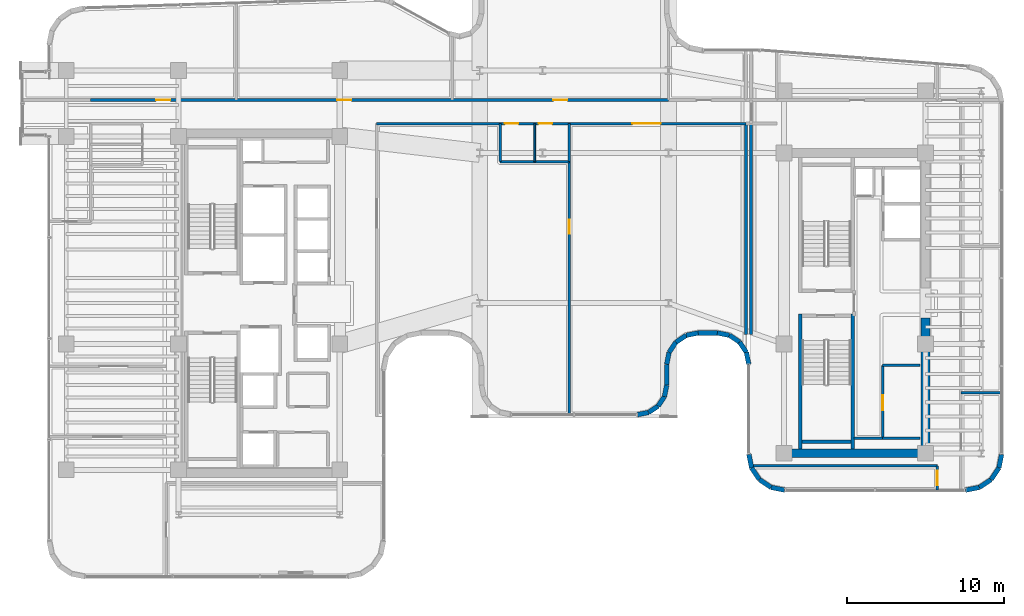
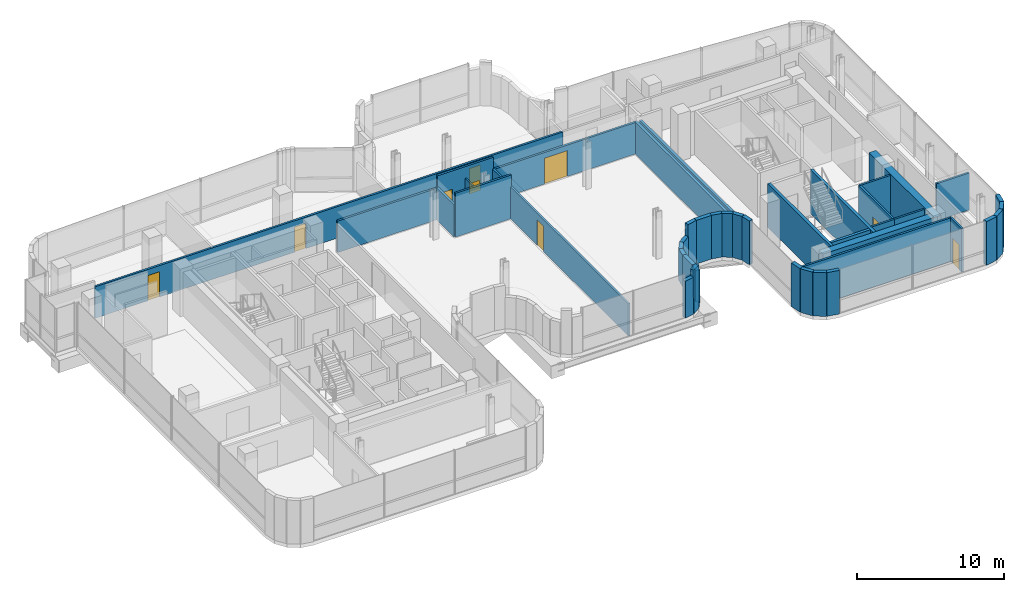
# One storey, part 29 of 37: 45 walls, 9 doors, 9 openings.
"""IFC4 building model written with IfcOpenShell, lengths in metres."""

from ifc_helpers import new_model, si_unit, direction, frame, frame_2d, origin, place, context, subcontext, project, spatial, rectangle, extrude, material, layer, layer_set, type_object, element, fill, save


model = new_model("IFC4")

# Units and contexts
model_context = context("Model", 3, precision=1e-05, world=origin(), true_north=direction((0.0, 1.0)))
body_context = subcontext(model_context, "Body", "Model", "MODEL_VIEW")
ifc_project = project(units=[si_unit("LENGTHUNIT", "METRE"), si_unit("AREAUNIT", "SQUARE_METRE"), si_unit("VOLUMEUNIT", "CUBIC_METRE"), si_unit("PLANEANGLEUNIT", "RADIAN"), si_unit("MASSUNIT", "GRAM", prefix="KILO")], contexts=[model_context])

# Site, building, storey
site_placement = place(None, origin())
site = spatial("IfcSite", under=ifc_project, at=site_placement, CompositionType="ELEMENT")
building_placement = place(site_placement, origin())
building = spatial("IfcBuilding", under=site, at=building_placement, Name="Valdorenza Pilgrim Sanctuary Tower", CompositionType="ELEMENT")
storey_placement = place(building_placement, frame((0.0, 0.0, 188.39990234375)))
storey = spatial("IfcBuildingStorey", under=building, at=storey_placement, Name="L48", CompositionType="ELEMENT", Elevation=188.39990234375)

# Wall
ifc_material_1 = material(Name="Acoustic twin-stud gypsum partition", Category="gypsum")
ifc_layer_1 = layer(ifc_material_1, 0.159912109375, Name="Acoustic twin-stud gypsum partition")
ifc_layer_set_1 = layer_set([ifc_layer_1], Name="Acoustic twin-stud gypsum partition")
wall_type_1 = type_object("IfcWallType", Name="WAL-COR-160", PredefinedType="PARTITIONING", material=ifc_layer_set_1)
wall_1_placement = place(storey_placement, frame((20.300048828125, -8.60009765625, 0.0), z_axis=(0.0, 0.0, 1.0), x_axis=(1.0, 0.0, 0.0)))
element("IfcWall", 1, at=wall_1_placement, inside=storey, type_object=wall_type_1, Name="L48 Core B Lift Hall South End Wall", PredefinedType="PARTITIONING", context=body_context, shape_type="SweptSolid", body=[
    extrude(rectangle(XDim=1.820068359375, YDim=0.159912109375, at=frame_2d((0.91015625, 0.0))), origin(), (0.0, 0.0, 1.0), 3.630126953125),
])

# Wall, opening, door
wall_2_placement = place(storey_placement, frame((22.1201171875, -8.60009765625, 0.0), z_axis=(0.0, 0.0, 1.0), x_axis=(0.0, 1.0, 0.0)))
wall_2 = element("IfcWall", 2, at=wall_2_placement, inside=storey, type_object=wall_type_1, Name="L48 Core B Freed Shaft West Wall", PredefinedType="PARTITIONING", context=body_context, shape_type="SweptSolid", body=[
    extrude(rectangle(XDim=4.650146484375, YDim=0.159912109375, at=frame_2d((2.3251953125, 0.0))), origin(), (0.0, 0.0, 1.0), 3.630126953125),
])
opening_1_placement = place(wall_2_placement, frame((1.800048828125, 0.0, 0.0)))
opening_1 = element("IfcOpeningElement", 3, at=opening_1_placement, cuts=wall_2, Name="Opening DR-UN1", PredefinedType="OPENING", context=body_context, shape_type="SweptSolid", body=[
    extrude(rectangle(XDim=0.949951171875, YDim=2.14990234375, at=frame_2d((0.47509765625, 1.074951171875))), frame((0.0, 0.0947265625, 0.0), z_axis=(0.0, -1.0, 0.0), x_axis=(1.0, 0.0, 0.0)), (0.0, 0.0, 1.0), 0.189697265625),
])
ifc_material_2 = material(Name="Solid-core European oak timber", Category="wood")
door_type_1 = type_object("IfcDoorType", Name="DR-UNIT-950", OperationType="NOTDEFINED", PredefinedType="DOOR", material=ifc_material_2)
door_1_placement = place(opening_1_placement, origin())
door_1 = element("IfcDoor", 4, at=door_1_placement, inside=storey, type_object=door_type_1, Name="L48 East Core Linen Store Door", OperationType="SINGLE_SWING_LEFT", OverallHeight=2.14990234375, OverallWidth=0.949951171875, PredefinedType="DOOR", context=body_context, shape_type="SweptSolid", body=[
    extrude(rectangle(XDim=0.949951171875, YDim=2.14990234375, at=frame_2d((0.47509765625, 1.074951171875))), frame((0.0, 0.02490234375, 0.0), z_axis=(0.0, -1.0, 0.0), x_axis=(1.0, 0.0, 0.0)), (0.0, 0.0, 1.0), 0.050048828125),
])
fill(opening_1, door_1)

# Wall, openings, doors
wall_3_placement = place(storey_placement, frame((-28.25, 12.919921875, 0.0), z_axis=(0.0, 0.0, 1.0), x_axis=(1.0, 0.0, 0.0)))
wall_3 = element("IfcWall", 5, at=wall_3_placement, inside=storey, type_object=wall_type_1, Name="L48 North Corridor Wall", PredefinedType="PARTITIONING", context=body_context, shape_type="SweptSolid", body=[
    extrude(rectangle(XDim=36.75, YDim=0.159912109375, at=frame_2d((18.375, 0.0))), origin(), (0.0, 0.0, 1.0), 2.614990234375),
])
opening_2_placement = place(wall_3_placement, frame((4.177978515625, 0.0, 0.0)))
opening_2 = element("IfcOpeningElement", 6, at=opening_2_placement, cuts=wall_3, Name="Opening DR-RM1", PredefinedType="OPENING", context=body_context, shape_type="SweptSolid", body=[
    extrude(rectangle(XDim=0.89990234375, YDim=2.10009765625, at=frame_2d((0.449951171875, 1.050048828125))), frame((0.0, 0.0947265625, 0.0), z_axis=(0.0, -1.0, 0.0), x_axis=(1.0, 0.0, 0.0)), (0.0, 0.0, 1.0), 0.189697265625),
])
opening_3_placement = place(wall_3_placement, frame((15.679931640625, 0.0, 0.0)))
opening_3 = element("IfcOpeningElement", 7, at=opening_3_placement, cuts=wall_3, Name="Opening DR-RM1", PredefinedType="OPENING", context=body_context, shape_type="SweptSolid", body=[
    extrude(rectangle(XDim=0.89990234375, YDim=2.10009765625, at=frame_2d((0.449951171875, 1.050048828125))), frame((0.0, 0.0947265625, 0.0), z_axis=(0.0, -1.0, 0.0), x_axis=(1.0, 0.0, 0.0)), (0.0, 0.0, 1.0), 0.189697265625),
])
opening_4_placement = place(wall_3_placement, frame((29.427001953125, 0.0, 0.0)))
opening_4 = element("IfcOpeningElement", 8, at=opening_4_placement, cuts=wall_3, Name="Opening DR-RM1", PredefinedType="OPENING", context=body_context, shape_type="SweptSolid", body=[
    extrude(rectangle(XDim=0.89990234375, YDim=2.10009765625, at=frame_2d((0.449951171875, 1.050048828125))), frame((0.0, 0.0947265625, 0.0), z_axis=(0.0, -1.0, 0.0), x_axis=(1.0, 0.0, 0.0)), (0.0, 0.0, 1.0), 0.189697265625),
])
door_type_2 = type_object("IfcDoorType", Name="DR-ROOM-900", OperationType="NOTDEFINED", PredefinedType="DOOR", material=ifc_material_2)
door_2_placement = place(opening_2_placement, origin())
door_2 = element("IfcDoor", 9, at=door_2_placement, inside=storey, type_object=door_type_2, Name="L48 Private Banquet Dining Room L48-N1 Door", OperationType="SINGLE_SWING_RIGHT", OverallHeight=2.10009765625, OverallWidth=0.89990234375, PredefinedType="DOOR", context=body_context, shape_type="SweptSolid", body=[
    extrude(rectangle(XDim=0.89990234375, YDim=2.10009765625, at=frame_2d((0.449951171875, 1.050048828125))), frame((0.0, 0.02490234375, 0.0), z_axis=(0.0, -1.0, 0.0), x_axis=(1.0, 0.0, 0.0)), (0.0, 0.0, 1.0), 0.050048828125),
])
fill(opening_2, door_2)
door_3_placement = place(opening_3_placement, frame((0.89990234375, 0.0, 0.0), z_axis=(0.0, 0.0, 1.0), x_axis=(-1.0, 0.0, 0.0)))
door_3 = element("IfcDoor", 10, at=door_3_placement, inside=storey, type_object=door_type_2, Name="L48 Private Banquet Dining Room L48-N2 Door", OperationType="SINGLE_SWING_LEFT", OverallHeight=2.10009765625, OverallWidth=0.89990234375, PredefinedType="DOOR", context=body_context, shape_type="SweptSolid", body=[
    extrude(rectangle(XDim=0.89990234375, YDim=2.10009765625, at=frame_2d((0.449951171875, 1.050048828125))), frame((0.0, 0.02490234375, 0.0), z_axis=(0.0, -1.0, 0.0), x_axis=(1.0, 0.0, 0.0)), (0.0, 0.0, 1.0), 0.050048828125),
])
fill(opening_3, door_3)
door_4_placement = place(opening_4_placement, origin())
door_4 = element("IfcDoor", 11, at=door_4_placement, inside=storey, type_object=door_type_2, Name="L48 Private Banquet Dining Room L48-N3 Door", OperationType="SINGLE_SWING_RIGHT", OverallHeight=2.10009765625, OverallWidth=0.89990234375, PredefinedType="DOOR", context=body_context, shape_type="SweptSolid", body=[
    extrude(rectangle(XDim=0.89990234375, YDim=2.10009765625, at=frame_2d((0.449951171875, 1.050048828125))), frame((0.0, 0.02490234375, 0.0), z_axis=(0.0, -1.0, 0.0), x_axis=(1.0, 0.0, 0.0)), (0.0, 0.0, 1.0), 0.050048828125),
])
fill(opening_4, door_4)

# Wall
wall_4_placement = place(storey_placement, frame((-10.050048828125, 11.419921875, 0.0), z_axis=(0.0, 0.0, 1.0), x_axis=(1.0, 0.0, 0.0)))
element("IfcWall", 12, at=wall_4_placement, inside=storey, type_object=wall_type_1, Name="L48 Prayer Hall North-West Corridor Wall", PredefinedType="PARTITIONING", context=body_context, shape_type="SweptSolid", body=[
    extrude(rectangle(XDim=7.85009765625, YDim=0.159912109375, at=frame_2d((3.925048828125, 0.0))), origin(), (0.0, 0.0, 1.0), 2.614990234375),
])

# Wall, opening, door
wall_5_placement = place(storey_placement, frame((2.199951171875, 11.419921875, 0.0), z_axis=(0.0, 0.0, 1.0), x_axis=(1.0, 0.0, 0.0)))
wall_5 = element("IfcWall", 13, at=wall_5_placement, inside=storey, type_object=wall_type_1, Name="L48 Prayer Library North-East Corridor Wall", PredefinedType="PARTITIONING", context=body_context, shape_type="SweptSolid", body=[
    extrude(rectangle(XDim=11.219970703125, YDim=0.159912109375, at=frame_2d((5.60986328125, 0.0))), origin(), (0.0, 0.0, 1.0), 2.614990234375),
])
opening_5_placement = place(wall_5_placement, frame((4.0, 0.0, 0.0)))
opening_5 = element("IfcOpeningElement", 14, at=opening_5_placement, cuts=wall_5, Name="Opening DR-HL1", PredefinedType="OPENING", context=body_context, shape_type="SweptSolid", body=[
    extrude(rectangle(XDim=1.800048828125, YDim=2.14990234375, at=frame_2d((0.89990234375, 1.074951171875))), frame((0.0, 0.0947265625, 0.0), z_axis=(0.0, -1.0, 0.0), x_axis=(1.0, 0.0, 0.0)), (0.0, 0.0, 1.0), 0.189697265625),
])
ifc_material_3 = material(Name="Acoustic oak and vision-glass double door", Category="glass")
door_type_3 = type_object("IfcDoorType", Name="DR-HALL-1800", OperationType="NOTDEFINED", PredefinedType="DOOR", material=ifc_material_3)
door_5_placement = place(opening_5_placement, origin())
door_5 = element("IfcDoor", 15, at=door_5_placement, inside=storey, type_object=door_type_3, Name="L48 Sacred Archive Reading Library Door", OperationType="DOUBLE_DOOR_SINGLE_SWING", OverallHeight=2.14990234375, OverallWidth=1.800048828125, PredefinedType="DOOR", context=body_context, shape_type="SweptSolid", body=[
    extrude(rectangle(XDim=1.800048828125, YDim=2.14990234375, at=frame_2d((0.89990234375, 1.074951171875))), frame((0.0, 0.02490234375, 0.0), z_axis=(0.0, -1.0, 0.0), x_axis=(1.0, 0.0, 0.0)), (0.0, 0.0, 1.0), 0.050048828125),
])
fill(opening_5, door_5)

# Walls
for number, where, z_axis, x_axis, name in (
    (16, (-2.199951171875, 9.0, 0.0), (0.0, 0.0, 1.0), (0.0, 1.0, 0.0), "L48 Washroom West Wall"),
    (17, (2.199951171875, 9.0, 0.0), (0.0, 0.0, 1.0), (0.0, 1.0, 0.0), "L48 Washroom East Wall"),
):
    element("IfcWall", number, at=place(storey_placement, frame(where, z_axis=z_axis, x_axis=x_axis)), inside=storey, type_object=wall_type_1, Name=name, PredefinedType="PARTITIONING", context=body_context, shape_type="SweptSolid", body=[
        extrude(rectangle(XDim=2.419921875, YDim=0.159912109375, at=frame_2d((1.2099609375, 0.0))), origin(), (0.0, 0.0, 1.0), 2.6650390625),
    ])
wall_6_placement = place(storey_placement, frame((-2.199951171875, 9.0, 0.0), z_axis=(0.0, 0.0, 1.0), x_axis=(1.0, 0.0, 0.0)))
element("IfcWall", 18, at=wall_6_placement, inside=storey, type_object=wall_type_1, Name="L48 Washroom South Wall", PredefinedType="PARTITIONING", context=body_context, shape_type="SweptSolid", body=[
    extrude(rectangle(XDim=4.39990234375, YDim=0.159912109375, at=frame_2d((2.199951171875, 0.0))), origin(), (0.0, 0.0, 1.0), 3.630126953125),
])

# Wall, openings, doors
wall_7_placement = place(storey_placement, frame((-2.199951171875, 11.419921875, 0.0), z_axis=(0.0, 0.0, 1.0), x_axis=(1.0, 0.0, 0.0)))
wall_7 = element("IfcWall", 19, at=wall_7_placement, inside=storey, type_object=wall_type_1, Name="L48 Washroom North Wall", PredefinedType="PARTITIONING", context=body_context, shape_type="SweptSolid", body=[
    extrude(rectangle(XDim=4.39990234375, YDim=0.159912109375, at=frame_2d((2.199951171875, 0.0))), origin(), (0.0, 0.0, 1.0), 3.630126953125),
])
opening_6_placement = place(wall_7_placement, frame((0.300048828125, 0.0, 0.0)))
opening_6 = element("IfcOpeningElement", 20, at=opening_6_placement, cuts=wall_7, Name="Opening DR-WC1", PredefinedType="OPENING", context=body_context, shape_type="SweptSolid", body=[
    extrude(rectangle(XDim=0.85009765625, YDim=2.10009765625, at=frame_2d((0.425048828125, 1.050048828125))), frame((0.0, 0.0947265625, 0.0), z_axis=(0.0, -1.0, 0.0), x_axis=(1.0, 0.0, 0.0)), (0.0, 0.0, 1.0), 0.189697265625),
])
opening_7_placement = place(wall_7_placement, frame((2.449951171875, 0.0, 0.0)))
opening_7 = element("IfcOpeningElement", 21, at=opening_7_placement, cuts=wall_7, Name="Opening DR-WC1", PredefinedType="OPENING", context=body_context, shape_type="SweptSolid", body=[
    extrude(rectangle(XDim=0.85009765625, YDim=2.10009765625, at=frame_2d((0.425048828125, 1.050048828125))), frame((0.0, 0.0947265625, 0.0), z_axis=(0.0, -1.0, 0.0), x_axis=(1.0, 0.0, 0.0)), (0.0, 0.0, 1.0), 0.189697265625),
])
ifc_material_4 = material(Name="Moisture-resistant lacquered timber", Category="wood")
door_type_4 = type_object("IfcDoorType", Name="DR-BATH-850", OperationType="NOTDEFINED", PredefinedType="DOOR", material=ifc_material_4)
door_6_placement = place(opening_6_placement, origin())
door_6 = element("IfcDoor", 22, at=door_6_placement, inside=storey, type_object=door_type_4, Name="L48 Accessible Washroom Door", OperationType="SINGLE_SWING_RIGHT", OverallHeight=2.10009765625, OverallWidth=0.85009765625, PredefinedType="DOOR", context=body_context, shape_type="SweptSolid", body=[
    extrude(rectangle(XDim=0.85009765625, YDim=2.10009765625, at=frame_2d((0.425048828125, 1.050048828125))), frame((0.0, 0.02490234375, 0.0), z_axis=(0.0, -1.0, 0.0), x_axis=(1.0, 0.0, 0.0)), (0.0, 0.0, 1.0), 0.050048828125),
])
fill(opening_6, door_6)
door_7_placement = place(opening_7_placement, origin())
door_7 = element("IfcDoor", 23, at=door_7_placement, inside=storey, type_object=door_type_4, Name="L48 Public Washroom Door", OperationType="SINGLE_SWING_LEFT", OverallHeight=2.10009765625, OverallWidth=0.85009765625, PredefinedType="DOOR", context=body_context, shape_type="SweptSolid", body=[
    extrude(rectangle(XDim=0.85009765625, YDim=2.10009765625, at=frame_2d((0.425048828125, 1.050048828125))), frame((0.0, 0.02490234375, 0.0), z_axis=(0.0, -1.0, 0.0), x_axis=(1.0, 0.0, 0.0)), (0.0, 0.0, 1.0), 0.050048828125),
])
fill(opening_7, door_7)

# Wall, opening, door
wall_8_placement = place(storey_placement, frame((25.60009765625, -11.889892578125, 0.0), z_axis=(0.0, 0.0, 1.0), x_axis=(0.0, 1.0, 0.0)))
wall_8 = element("IfcWall", 24, at=wall_8_placement, inside=storey, type_object=wall_type_1, Name="L48 Wing B South-East Wall", PredefinedType="PARTITIONING", context=body_context, shape_type="SweptSolid", body=[
    extrude(rectangle(XDim=1.539794921875, YDim=0.159912109375, at=frame_2d((0.77001953125, 0.0))), origin(), (0.0, 0.0, 1.0), 3.630126953125),
])
opening_8_placement = place(wall_8_placement, frame((0.320068359375, 0.0, 0.0)))
opening_8 = element("IfcOpeningElement", 25, at=opening_8_placement, cuts=wall_8, Name="Opening DR-RM1", PredefinedType="OPENING", context=body_context, shape_type="SweptSolid", body=[
    extrude(rectangle(XDim=0.89990234375, YDim=2.10009765625, at=frame_2d((0.449951171875, 1.050048828125))), frame((0.0, 0.0947265625, 0.0), z_axis=(0.0, -1.0, 0.0), x_axis=(1.0, 0.0, 0.0)), (0.0, 0.0, 1.0), 0.189697265625),
])
door_8_placement = place(opening_8_placement, origin())
door_8 = element("IfcDoor", 26, at=door_8_placement, inside=storey, type_object=door_type_2, Name="L48 Sacred Manuscript Archive L48-BS Door", OperationType="SINGLE_SWING_RIGHT", OverallHeight=2.10009765625, OverallWidth=0.89990234375, PredefinedType="DOOR", context=body_context, shape_type="SweptSolid", body=[
    extrude(rectangle(XDim=0.89990234375, YDim=2.10009765625, at=frame_2d((0.449951171875, 1.050048828125))), frame((0.0, 0.02490234375, 0.0), z_axis=(0.0, -1.0, 0.0), x_axis=(1.0, 0.0, 0.0)), (0.0, 0.0, 1.0), 0.050048828125),
])
fill(opening_8, door_8)

# Walls
wall_9_placement = place(storey_placement, frame((13.888916015625, -10.35009765625, 0.0), z_axis=(0.0, 0.0, 1.0), x_axis=(1.0, 0.0, 0.0)))
element("IfcWall", 27, at=wall_9_placement, inside=storey, type_object=wall_type_1, Name="L48 Wing B South Closure", PredefinedType="PARTITIONING", context=body_context, shape_type="SweptSolid", body=[
    extrude(rectangle(XDim=11.711181640625, YDim=0.159912109375, at=frame_2d((5.85546875, 0.0))), origin(), (0.0, 0.0, 1.0), 3.630126953125),
])
ifc_material_5 = material(Name="Concrete C50/60", Category="concrete")
ifc_layer_2 = layer(ifc_material_5, 0.550048828125, Name="Concrete C50/60")
ifc_layer_set_2 = layer_set([ifc_layer_2], Name="Concrete C50/60")
wall_type_2 = type_object("IfcWallType", Name="WAL-COR-550", PredefinedType="SHEAR", material=ifc_layer_set_2)
wall_10_placement = place(storey_placement, frame((24.85009765625, -9.824951171875, 0.0), z_axis=(0.0, 0.0, 1.0), x_axis=(0.0, 1.0, 0.0)))
element("IfcWall", 28, at=wall_10_placement, inside=storey, type_object=wall_type_2, Name="L48 Split Core B Shear Wall ES", PredefinedType="SHEAR", context=body_context, shape_type="SweptSolid", body=[
    extrude(rectangle(XDim=8.875, YDim=0.550048828125, at=frame_2d((4.4375, 0.0))), origin(), (0.0, 0.0, 1.0), 3.630126953125),
])
wall_11_placement = place(storey_placement, frame((15.85009765625, -9.550048828125, 0.0), z_axis=(0.0, 0.0, 1.0), x_axis=(1.0, 0.0, 0.0)))
element("IfcWall", 29, at=wall_11_placement, inside=storey, type_object=wall_type_2, Name="L48 Split Core B Shear Wall S", PredefinedType="SHEAR", context=body_context, shape_type="SweptSolid", body=[
    extrude(rectangle(XDim=9.0, YDim=0.550048828125, at=frame_2d((4.5, 0.0))), origin(), (0.0, 0.0, 1.0), 3.630126953125),
])
ifc_material_6 = material(Name="Honed travertine limestone", Category="masonry")
ifc_layer_3 = layer(ifc_material_6, 0.300048828125, Name="Honed travertine limestone")
ifc_layer_set_3 = layer_set([ifc_layer_3], Name="Honed travertine limestone")
wall_type_3 = type_object("IfcWallType", Name="WAL-EXT-300", PredefinedType="SOLIDWALL", material=ifc_layer_set_3)
wall_12_placement = place(storey_placement, frame((29.68994140625, -9.589111328125, 0.0), z_axis=(0.0, 0.0, 1.0), x_axis=(-0.195025152871, -0.980798241101, 0.0)))
element("IfcWall", 30, at=wall_12_placement, inside=storey, type_object=wall_type_3, Name="L48 Rounded Wind-Corner Stone Pier 38", PredefinedType="SOLIDWALL", context=body_context, shape_type="SweptSolid", body=[
    extrude(rectangle(XDim=0.90380859375, YDim=0.300048828125, at=frame_2d((0.451904296875, 0.0))), origin(), (0.0, 0.0, 1.0), 3.630126953125),
])
wall_13_placement = place(storey_placement, frame((29.513671875, -10.4755859375, 0.0), z_axis=(0.0, 0.0, 1.0), x_axis=(-0.555520488502, -0.831502848374, 0.0)))
element("IfcWall", 31, at=wall_13_placement, inside=storey, type_object=wall_type_3, Name="L48 Rounded Wind-Corner Stone Pier 39", PredefinedType="SOLIDWALL", context=body_context, shape_type="SweptSolid", body=[
    extrude(rectangle(XDim=0.892578125, YDim=0.300048828125, at=frame_2d((0.4462890625, 0.0))), origin(), (0.0, 0.0, 1.0), 3.630126953125),
])
wall_14_placement = place(storey_placement, frame((29.017822265625, -11.2177734375, 0.0), z_axis=(0.0, 0.0, 1.0), x_axis=(-0.83158722889, -0.555394167009, 0.0)))
element("IfcWall", 32, at=wall_14_placement, inside=storey, type_object=wall_type_3, Name="L48 Rounded Wind-Corner Stone Pier 40", PredefinedType="SOLIDWALL", context=body_context, shape_type="SweptSolid", body=[
    extrude(rectangle(XDim=0.892822265625, YDim=0.300048828125, at=frame_2d((0.4462890625, 0.0))), origin(), (0.0, 0.0, 1.0), 3.630126953125),
])
wall_15_placement = place(storey_placement, frame((28.275390625, -11.713623046875, 0.0), z_axis=(0.0, 0.0, 1.0), x_axis=(-0.980787963133, -0.19507683454, 0.0)))
element("IfcWall", 33, at=wall_15_placement, inside=storey, type_object=wall_type_3, Name="L48 Rounded Wind-Corner Stone Pier 41", PredefinedType="SOLIDWALL", context=body_context, shape_type="SweptSolid", body=[
    extrude(rectangle(XDim=0.903564453125, YDim=0.300048828125, at=frame_2d((0.45166015625, 0.0))), origin(), (0.0, 0.0, 1.0), 3.630126953125),
])
wall_16_placement = place(storey_placement, frame((15.910888671875, -11.889892578125, 0.0), z_axis=(0.0, 0.0, 1.0), x_axis=(-0.980798241101, 0.195025152871, 0.0)))
element("IfcWall", 34, at=wall_16_placement, inside=storey, type_object=wall_type_3, Name="L48 Rounded Wind-Corner Stone Pier 43", PredefinedType="SOLIDWALL", context=body_context, shape_type="SweptSolid", body=[
    extrude(rectangle(XDim=0.90380859375, YDim=0.300048828125, at=frame_2d((0.451904296875, 0.0))), origin(), (0.0, 0.0, 1.0), 3.630126953125),
])
for number, where, z_axis, x_axis, name in (
    (35, (15.0244140625, -11.713623046875, 0.0), (0.0, 0.0, 1.0), (-0.831502848374, 0.555520488502, 0.0), "L48 Rounded Wind-Corner Stone Pier 44"),
    (36, (14.2822265625, -11.2177734375, 0.0), (0.0, 0.0, 1.0), (-0.555520488502, 0.831502848374, 0.0), "L48 Rounded Wind-Corner Stone Pier 45"),
):
    element("IfcWall", number, at=place(storey_placement, frame(where, z_axis=z_axis, x_axis=x_axis)), inside=storey, type_object=wall_type_3, Name=name, PredefinedType="SOLIDWALL", context=body_context, shape_type="SweptSolid", body=[
        extrude(rectangle(XDim=0.892578125, YDim=0.300048828125, at=frame_2d((0.4462890625, 0.0))), origin(), (0.0, 0.0, 1.0), 3.630126953125),
    ])
wall_17_placement = place(storey_placement, frame((13.786376953125, -10.4755859375, 0.0), z_axis=(0.0, 0.0, 1.0), x_axis=(-0.195025152871, 0.980798241101, 0.0)))
element("IfcWall", 37, at=wall_17_placement, inside=storey, type_object=wall_type_3, Name="L48 Rounded Wind-Corner Stone Pier 46", PredefinedType="SOLIDWALL", context=body_context, shape_type="SweptSolid", body=[
    extrude(rectangle(XDim=0.90380859375, YDim=0.300048828125, at=frame_2d((0.451904296875, 0.0))), origin(), (0.0, 0.0, 1.0), 3.630126953125),
])
wall_18_placement = place(storey_placement, frame((13.610107421875, -3.88916015625, 0.0), z_axis=(0.0, 0.0, 1.0), x_axis=(-0.195206365311, 0.98076219082, 0.0)))
element("IfcWall", 38, at=wall_18_placement, inside=storey, type_object=wall_type_3, Name="L48 Rounded Wind-Corner Stone Pier 48", PredefinedType="SOLIDWALL", context=body_context, shape_type="SweptSolid", body=[
    extrude(rectangle(XDim=0.774169921875, YDim=0.300048828125, at=frame_2d((0.38720703125, 0.0))), origin(), (0.0, 0.0, 1.0), 3.630126953125),
])
for number, where, z_axis, x_axis, name in (
    (39, (13.458984375, -3.1298828125, 0.0), (0.0, 0.0, 1.0), (-0.555776307766, 0.831331880615, 0.0), "L48 Rounded Wind-Corner Stone Pier 49"),
    (40, (13.022705078125, -2.477294921875, 0.0), (0.0, 0.0, 1.0), (-0.831331880615, 0.555776307766, 0.0), "L48 Rounded Wind-Corner Stone Pier 50"),
):
    element("IfcWall", number, at=place(storey_placement, frame(where, z_axis=z_axis, x_axis=x_axis)), inside=storey, type_object=wall_type_3, Name=name, PredefinedType="SOLIDWALL", context=body_context, shape_type="SweptSolid", body=[
        extrude(rectangle(XDim=0.784912109375, YDim=0.300048828125, at=frame_2d((0.392578125, 0.0))), origin(), (0.0, 0.0, 1.0), 3.630126953125),
    ])
wall_19_placement = place(storey_placement, frame((12.3701171875, -2.041015625, 0.0), z_axis=(0.0, 0.0, 1.0), x_axis=(-0.98076219082, 0.195206365311, 0.0)))
element("IfcWall", 41, at=wall_19_placement, inside=storey, type_object=wall_type_3, Name="L48 Rounded Wind-Corner Stone Pier 51", PredefinedType="SOLIDWALL", context=body_context, shape_type="SweptSolid", body=[
    extrude(rectangle(XDim=0.774169921875, YDim=0.300048828125, at=frame_2d((0.38720703125, 0.0))), origin(), (0.0, 0.0, 1.0), 3.630126953125),
])
wall_20_placement = place(storey_placement, frame((11.61083984375, -1.889892578125, 0.0), z_axis=(0.0, 0.0, 1.0), x_axis=(-1.0, 0.0, 0.0)))
element("IfcWall", 42, at=wall_20_placement, inside=storey, type_object=wall_type_3, Name="L48 Rounded Wind-Corner Stone Pier 52", PredefinedType="SOLIDWALL", context=body_context, shape_type="SweptSolid", body=[
    extrude(rectangle(XDim=1.2216796875, YDim=0.300048828125, at=frame_2d((0.61083984375, 0.0))), origin(), (0.0, 0.0, 1.0), 3.630126953125),
])
wall_21_placement = place(storey_placement, frame((10.38916015625, -1.889892578125, 0.0), z_axis=(0.0, 0.0, 1.0), x_axis=(-0.98076219082, -0.195206365311, 0.0)))
element("IfcWall", 43, at=wall_21_placement, inside=storey, type_object=wall_type_3, Name="L48 Rounded Wind-Corner Stone Pier 53", PredefinedType="SOLIDWALL", context=body_context, shape_type="SweptSolid", body=[
    extrude(rectangle(XDim=0.774169921875, YDim=0.300048828125, at=frame_2d((0.38720703125, 0.0))), origin(), (0.0, 0.0, 1.0), 3.630126953125),
])
for number, where, z_axis, x_axis, name in (
    (44, (9.6298828125, -2.041015625, 0.0), (0.0, 0.0, 1.0), (-0.831331880615, -0.555776307766, 0.0), "L48 Rounded Wind-Corner Stone Pier 54"),
    (45, (8.977294921875, -2.477294921875, 0.0), (0.0, 0.0, 1.0), (-0.555776307766, -0.831331880615, 0.0), "L48 Rounded Wind-Corner Stone Pier 55"),
):
    element("IfcWall", number, at=place(storey_placement, frame(where, z_axis=z_axis, x_axis=x_axis)), inside=storey, type_object=wall_type_3, Name=name, PredefinedType="SOLIDWALL", context=body_context, shape_type="SweptSolid", body=[
        extrude(rectangle(XDim=0.784912109375, YDim=0.300048828125, at=frame_2d((0.392578125, 0.0))), origin(), (0.0, 0.0, 1.0), 2.614990234375),
    ])
wall_22_placement = place(storey_placement, frame((8.541015625, -3.1298828125, 0.0), z_axis=(0.0, 0.0, 1.0), x_axis=(-0.195206365311, -0.98076219082, 0.0)))
element("IfcWall", 46, at=wall_22_placement, inside=storey, type_object=wall_type_3, Name="L48 Rounded Wind-Corner Stone Pier 56", PredefinedType="SOLIDWALL", context=body_context, shape_type="SweptSolid", body=[
    extrude(rectangle(XDim=0.774169921875, YDim=0.300048828125, at=frame_2d((0.38720703125, 0.0))), origin(), (0.0, 0.0, 1.0), 2.614990234375),
])
wall_23_placement = place(storey_placement, frame((8.389892578125, -3.88916015625, 0.0), z_axis=(0.0, 0.0, 1.0), x_axis=(0.0, -1.0, 0.0)))
element("IfcWall", 47, at=wall_23_placement, inside=storey, type_object=wall_type_3, Name="L48 Rounded Wind-Corner Stone Pier 57", PredefinedType="SOLIDWALL", context=body_context, shape_type="SweptSolid", body=[
    extrude(rectangle(XDim=1.323974609375, YDim=0.300048828125, at=frame_2d((0.662109375, 0.0))), origin(), (0.0, 0.0, 1.0), 2.614990234375),
])
wall_24_placement = place(storey_placement, frame((8.389892578125, -5.213134765625, 0.0), z_axis=(0.0, 0.0, 1.0), x_axis=(-0.194780446724, -0.980846867546, 0.0)))
element("IfcWall", 48, at=wall_24_placement, inside=storey, type_object=wall_type_3, Name="L48 Rounded Wind-Corner Stone Pier 58", PredefinedType="SOLIDWALL", context=body_context, shape_type="SweptSolid", body=[
    extrude(rectangle(XDim=0.73828125, YDim=0.300048828125, at=frame_2d((0.369140625, 0.0))), origin(), (0.0, 0.0, 1.0), 2.614990234375),
])
wall_25_placement = place(storey_placement, frame((8.24609375, -5.937255859375, 0.0), z_axis=(0.0, 0.0, 1.0), x_axis=(-0.555784030735, -0.83132671747, 0.0)))
element("IfcWall", 49, at=wall_25_placement, inside=storey, type_object=wall_type_3, Name="L48 Rounded Wind-Corner Stone Pier 59", PredefinedType="SOLIDWALL", context=body_context, shape_type="SweptSolid", body=[
    extrude(rectangle(XDim=0.7275390625, YDim=0.300048828125, at=frame_2d((0.36376953125, 0.0))), origin(), (0.0, 0.0, 1.0), 2.614990234375),
])
wall_26_placement = place(storey_placement, frame((7.841796875, -6.5419921875, 0.0), z_axis=(0.0, 0.0, 1.0), x_axis=(-0.831378135196, -0.555707113792, 0.0)))
element("IfcWall", 50, at=wall_26_placement, inside=storey, type_object=wall_type_3, Name="L48 Rounded Wind-Corner Stone Pier 60", PredefinedType="SOLIDWALL", context=body_context, shape_type="SweptSolid", body=[
    extrude(rectangle(XDim=0.72705078125, YDim=0.300048828125, at=frame_2d((0.363525390625, 0.0))), origin(), (0.0, 0.0, 1.0), 3.630126953125),
])
wall_27_placement = place(storey_placement, frame((7.2373046875, -6.946044921875, 0.0), z_axis=(0.0, 0.0, 1.0), x_axis=(-0.980783640462, -0.195098566376, 0.0)))
element("IfcWall", 51, at=wall_27_placement, inside=storey, type_object=wall_type_3, Name="L48 Rounded Wind-Corner Stone Pier 61", PredefinedType="SOLIDWALL", context=body_context, shape_type="SweptSolid", body=[
    extrude(rectangle(XDim=0.73828125, YDim=0.300048828125, at=frame_2d((0.369140625, 0.0))), origin(), (0.0, 0.0, 1.0), 3.076171875),
])
ifc_material_7 = material(Name="Gypsum shaftwall partition", Category="gypsum")
ifc_layer_4 = layer(ifc_material_7, 0.199951171875, Name="Gypsum shaftwall partition")
ifc_layer_set_4 = layer_set([ifc_layer_4], Name="Gypsum shaftwall partition")
wall_type_4 = type_object("IfcWallType", Name="WAL-FFL-200", PredefinedType="PARTITIONING", material=ifc_layer_set_4)
for number, where, z_axis, x_axis, name in (
    (52, (13.419921875, -2.0, 0.0), (0.0, 0.0, 1.0), (0.0, 1.0, 0.0), "L48 Prayer Bar Joint West Wall"),
    (53, (13.760009765625, -2.0, 0.0), (0.0, 0.0, 1.0), (0.0, 1.0, 0.0), "L48 Wing B Joint East Wall"),
):
    element("IfcWall", number, at=place(storey_placement, frame(where, z_axis=z_axis, x_axis=x_axis)), inside=storey, type_object=wall_type_4, Name=name, PredefinedType="PARTITIONING", context=body_context, shape_type="SweptSolid", body=[
        extrude(rectangle(XDim=13.419921875, YDim=0.199951171875, at=frame_2d((6.7099609375, 0.0))), origin(), (0.0, 0.0, 1.0), 2.6650390625),
    ])
ifc_material_8 = material(Name="Moisture-resistant gypsum partition", Category="gypsum")
ifc_layer_5 = layer(ifc_material_8, 0.1201171875, Name="Moisture-resistant gypsum partition")
ifc_layer_set_5 = layer_set([ifc_layer_5], Name="Moisture-resistant gypsum partition")
wall_type_5 = type_object("IfcWallType", Name="WAL-INT-120", PredefinedType="PARTITIONING", material=ifc_layer_set_5)
wall_28_placement = place(storey_placement, frame((0.0, 9.0, 0.0), z_axis=(0.0, 0.0, 1.0), x_axis=(0.0, 1.0, 0.0)))
element("IfcWall", 54, at=wall_28_placement, inside=storey, type_object=wall_type_5, Name="L48 Washroom Divider Wall", PredefinedType="PARTITIONING", context=body_context, shape_type="SweptSolid", body=[
    extrude(rectangle(XDim=2.419921875, YDim=0.1201171875, at=frame_2d((1.2099609375, 0.0))), origin(), (0.0, 0.0, 1.0), 2.6650390625),
])
ifc_material_9 = material(Name="Concrete C40/50", Category="concrete")
ifc_layer_6 = layer(ifc_material_9, 0.219970703125, Name="Concrete C40/50")
ifc_layer_set_6 = layer_set([ifc_layer_6], Name="Concrete C40/50")
wall_type_6 = type_object("IfcWallType", Name="WAL-STR-SHF-220", PredefinedType="SHEAR", material=ifc_layer_set_6)
for number, where, z_axis, x_axis, name in (
    (55, (16.889892578125, -9.27490234375, 0.0), (0.0, 0.0, 1.0), (0.0, 1.0, 0.0), "L48 ST-B2 Structural Stairwell Wall W"),
    (56, (20.219970703125, -9.27490234375, 0.0), (0.0, 0.0, 1.0), (0.0, 1.0, 0.0), "L48 ST-B2 Structural Stairwell Wall E"),
):
    element("IfcWall", number, at=place(storey_placement, frame(where, z_axis=z_axis, x_axis=x_axis)), inside=storey, type_object=wall_type_6, Name=name, PredefinedType="SHEAR", context=body_context, shape_type="SweptSolid", body=[
        extrude(rectangle(XDim=8.594970703125, YDim=0.219970703125, at=frame_2d((4.29736328125, 0.0))), origin(), (0.0, 0.0, 1.0), 3.630126953125),
    ])
wall_29_placement = place(storey_placement, frame((17.0, -8.81005859375, 0.0), z_axis=(0.0, 0.0, 1.0), x_axis=(1.0, 0.0, 0.0)))
element("IfcWall", 57, at=wall_29_placement, inside=storey, type_object=wall_type_6, Name="L48 ST-B2 Structural Stairwell Wall S", PredefinedType="SHEAR", context=body_context, shape_type="SweptSolid", body=[
    extrude(rectangle(XDim=3.110107421875, YDim=0.219970703125, at=frame_2d((1.55517578125, 0.0))), origin(), (0.0, 0.0, 1.0), 3.630126953125),
])
ifc_layer_7 = layer(ifc_material_1, 0.14990234375, Name="Acoustic twin-stud gypsum partition")
ifc_layer_set_7 = layer_set([ifc_layer_7], Name="Acoustic twin-stud gypsum partition")
wall_type_7 = type_object("IfcWallType", Name="WAL-UNT-150", PredefinedType="PARTITIONING", material=ifc_layer_set_7)
for number, where, z_axis, x_axis, name in (
    (58, (22.1201171875, -3.949951171875, 0.0), (0.0, 0.0, 1.0), (1.0, 0.0, 0.0), "L48 Core B Freed Shaft North Wall"),
    (59, (22.1201171875, -8.60009765625, 0.0), (0.0, 0.0, 1.0), (1.0, 0.0, 0.0), "L48 Core B Freed Shaft South Wall"),
):
    element("IfcWall", number, at=place(storey_placement, frame(where, z_axis=z_axis, x_axis=x_axis)), inside=storey, type_object=wall_type_7, Name=name, PredefinedType="PARTITIONING", context=body_context, shape_type="SweptSolid", body=[
        extrude(rectangle(XDim=2.3798828125, YDim=0.14990234375, at=frame_2d((1.18994140625, 0.0))), origin(), (0.0, 0.0, 1.0), 3.630126953125),
    ])

# Wall, opening, door
wall_30_placement = place(storey_placement, frame((2.199951171875, -7.090087890625, 0.0), z_axis=(0.0, 0.0, 1.0), x_axis=(0.0, 1.0, 0.0)))
wall_30 = element("IfcWall", 60, at=wall_30_placement, inside=storey, type_object=wall_type_7, Name="L48 Prayer Hall East Library Split", PredefinedType="PARTITIONING", context=body_context, shape_type="SweptSolid", body=[
    extrude(rectangle(XDim=16.090087890625, YDim=0.14990234375, at=frame_2d((8.044921875, 0.0))), origin(), (0.0, 0.0, 1.0), 2.6650390625),
])
opening_9_placement = place(wall_30_placement, frame((11.5, 0.0, 0.0)))
opening_9 = element("IfcOpeningElement", 61, at=opening_9_placement, cuts=wall_30, Name="Opening DR-RM1", PredefinedType="OPENING", context=body_context, shape_type="SweptSolid", body=[
    extrude(rectangle(XDim=0.89990234375, YDim=2.10009765625, at=frame_2d((0.449951171875, 1.050048828125))), frame((0.0, 0.08984375, 0.0), z_axis=(0.0, -1.0, 0.0), x_axis=(1.0, 0.0, 0.0)), (0.0, 0.0, 1.0), 0.1796875),
])
door_9_placement = place(opening_9_placement, frame((0.89990234375, 0.0, 0.0), z_axis=(0.0, 0.0, 1.0), x_axis=(-1.0, 0.0, 0.0)))
door_9 = element("IfcDoor", 62, at=door_9_placement, inside=storey, type_object=door_type_2, Name="L48 Prayer Hall Library Door", OperationType="SINGLE_SWING_LEFT", OverallHeight=2.10009765625, OverallWidth=0.89990234375, PredefinedType="DOOR", context=body_context, shape_type="SweptSolid", body=[
    extrude(rectangle(XDim=0.89990234375, YDim=2.10009765625, at=frame_2d((0.449951171875, 1.050048828125))), frame((0.0, 0.02490234375, 0.0), z_axis=(0.0, -1.0, 0.0), x_axis=(1.0, 0.0, 0.0)), (0.0, 0.0, 1.0), 0.050048828125),
])
fill(opening_9, door_9)

# Wall
wall_31_placement = place(storey_placement, frame((27.10009765625, -5.693359375, 0.0), z_axis=(0.0, 0.0, 1.0), x_axis=(1.0, 0.0, 0.0)))
element("IfcWall", 63, at=wall_31_placement, inside=storey, type_object=wall_type_7, Name="L48 Private Banquet Dining Room L48-EB2 Demising Wall", PredefinedType="PARTITIONING", context=body_context, shape_type="SweptSolid", body=[
    extrude(rectangle(XDim=2.58984375, YDim=0.14990234375, at=frame_2d((1.294921875, 0.0))), origin(), (0.0, 0.0, 1.0), 3.076171875),
])

save(model, "model.ifc")
